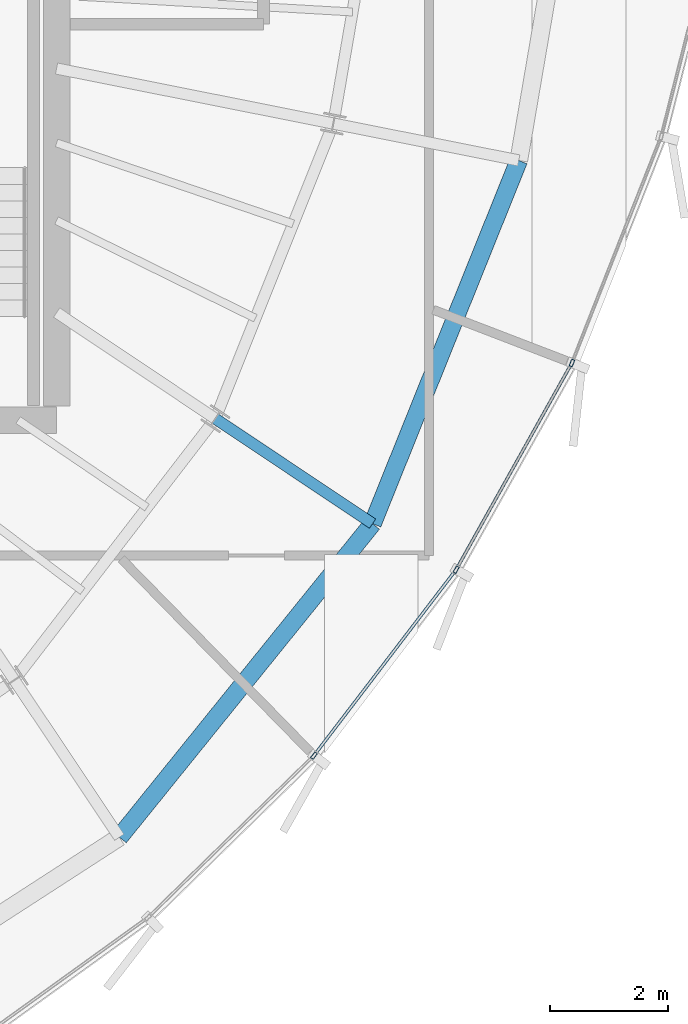
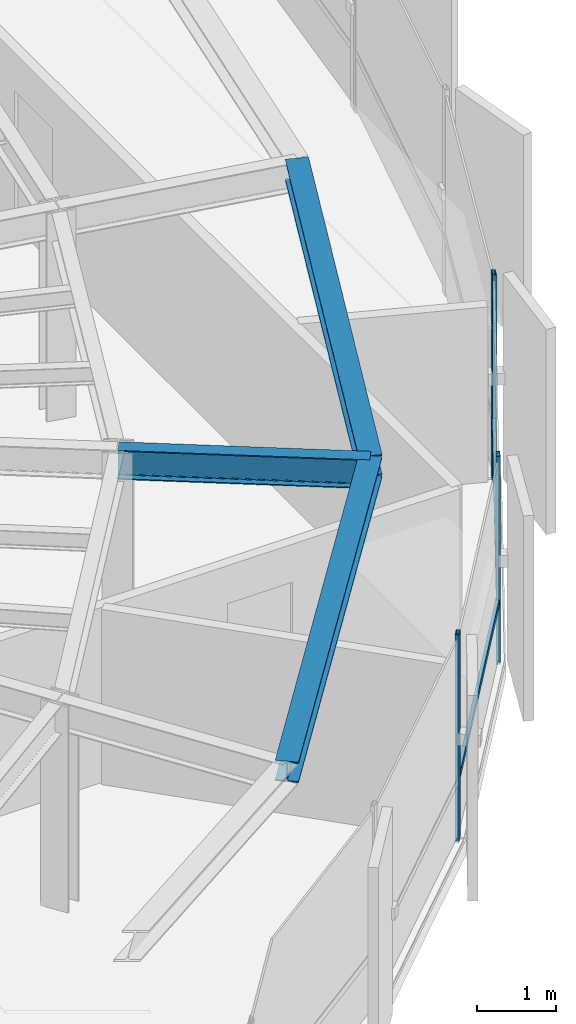
# One storey, part 13 of 34: 5 members, 3 beams, 1 element without a shape of its own.
"""IFC4 building model written with IfcOpenShell, lengths in metres."""

from ifc_helpers import new_model, si_unit, direction, frame, origin, origin_2d, place, context, subcontext, project, spatial, hollow_rectangle, i_section, extrude, source, transform, mapped, material, layer, layer_set, material_profile, profile_set, type_object, element, aggregate, save


model = new_model("IFC4")

# Units and contexts
model_context = context("Model", 3, precision=1e-05, world=origin(), true_north=direction((0.0, 1.0)))
body_context = subcontext(model_context, "Body", "Model", "MODEL_VIEW")
ifc_project = project(units=[si_unit("LENGTHUNIT", "METRE"), si_unit("AREAUNIT", "SQUARE_METRE"), si_unit("VOLUMEUNIT", "CUBIC_METRE"), si_unit("PLANEANGLEUNIT", "RADIAN"), si_unit("MASSUNIT", "GRAM", prefix="KILO"), si_unit("THERMODYNAMICTEMPERATUREUNIT", "KELVIN")], contexts=[model_context])

# Site, building, storey
site_placement = place(None, origin())
site = spatial("IfcSite", under=ifc_project, at=site_placement, CompositionType="ELEMENT")
building_placement = place(site_placement, origin())
building = spatial("IfcBuilding", under=site, at=building_placement, Name="Kethvar Cultural Tower", CompositionType="ELEMENT")
storey_placement = place(building_placement, frame((0.0, 0.0, 262.89990234375)))
storey = spatial("IfcBuildingStorey", under=building, at=storey_placement, Name="L69", CompositionType="ELEMENT", Elevation=262.89990234375)

# Beams
ifc_material_1 = material(Name="Steel S355J2", Category="steel")
ifc_material_profile_1 = material_profile(ifc_material_1, i_section(OverallWidth=0.18994140625, OverallDepth=0.449951171875, WebThickness=0.009521484375, FlangeThickness=0.0146484375, FilletRadius=0.02099609375, at=origin_2d()), Name="Steel S355J2 — IPE450")
ifc_profile_set_1 = profile_set([ifc_material_profile_1], Name="Steel S355J2 — IPE450")
beam_type_1 = type_object("IfcBeamType", Name="BM-IPE450", PredefinedType="BEAM", material=ifc_profile_set_1)
shared_shape_1 = source(origin(), body_context, "Body", "SweptSolid", [
    extrude(i_section(OverallWidth=0.18994140625, OverallDepth=0.449951171875, WebThickness=0.009521484375, FlangeThickness=0.0146484375, FilletRadius=0.02099609375, at=origin_2d()), origin(), (0.0, 0.0, 1.0), 3.199951171875),
])
beam_1_placement = place(storey_placement, frame((58.287109375, 20.12451171875, 2.983154296875), z_axis=(0.831462943996, -0.555580212716, 0.0), x_axis=(0.555580212716, 0.831462943996, 0.0)))
element("IfcBeam", 1, at=beam_1_placement, inside=storey, type_object=beam_type_1, Name="L69 Perimeter Cantilever Beam RC-15", PredefinedType="BEAM", context=body_context, shape_type="MappedRepresentation", body=[
    mapped(shared_shape_1, transform((0.0, 0.0, 0.0), scale=1.0)),
])
ifc_material_profile_2 = material_profile(ifc_material_1, i_section(OverallWidth=0.300048828125, OverallDepth=0.320068359375, WebThickness=0.011474609375, FlangeThickness=0.0205078125, FilletRadius=0.027099609375, at=origin_2d()), Name="Steel S355J2 — HEB320")
ifc_profile_set_2 = profile_set([ifc_material_profile_2], Name="Steel S355J2 — HEB320")
beam_type_2 = type_object("IfcBeamType", Name="BM-SP320", PredefinedType="SPANDREL", material=ifc_profile_set_2)
shared_shape_2 = source(origin(), body_context, "Body", "SweptSolid", [
    extrude(i_section(OverallWidth=0.300048828125, OverallDepth=0.320068359375, WebThickness=0.011474609375, FlangeThickness=0.0205078125, FilletRadius=0.027099609375, at=origin_2d()), origin(), (0.0, 0.0, 1.0), 6.8212890625),
])
beam_2_placement = place(storey_placement, frame((56.66259765625, 13.039306640625, 3.048095703125), z_axis=(0.628197971595, 0.778053538315, 0.0), x_axis=(-0.778053538315, 0.628197971595, 0.0)))
element("IfcBeam", 2, at=beam_2_placement, inside=storey, type_object=beam_type_2, Name="L69 Perimeter Spandrel Beam SP-14", PredefinedType="SPANDREL", context=body_context, shape_type="MappedRepresentation", body=[
    mapped(shared_shape_2, transform((0.0, 0.0, 0.0), scale=1.0)),
])
shared_shape_3 = source(origin(), body_context, "Body", "SweptSolid", [
    extrude(i_section(OverallWidth=0.300048828125, OverallDepth=0.320068359375, WebThickness=0.011474609375, FlangeThickness=0.0205078125, FilletRadius=0.027099609375, at=origin_2d()), origin(), (0.0, 0.0, 1.0), 6.626220703125),
])
beam_3_placement = place(storey_placement, frame((60.94775390625, 18.3466796875, 3.048095703125), z_axis=(0.373416224197, 0.927663906545, 0.0), x_axis=(-0.927663906545, 0.373416224197, 0.0)))
element("IfcBeam", 3, at=beam_3_placement, inside=storey, type_object=beam_type_2, Name="L69 Perimeter Spandrel Beam SP-15", PredefinedType="SPANDREL", context=body_context, shape_type="MappedRepresentation", body=[
    mapped(shared_shape_3, transform((0.0, 0.0, 0.0), scale=1.0)),
])

# Curtain wall, members
ifc_material_2 = material(Name="Aluminium 6063-T6", Category="aluminium")
ifc_layer = layer(ifc_material_2, 0.179931640625, Name="Aluminium 6063-T6", Category="aluminium")
ifc_layer_set = layer_set([ifc_layer], Name="Aluminium 6063-T6 (180 mm)")
curtain_wall_type = type_object("IfcCurtainWallType", Name="CW-SYS-05-Z56", PredefinedType="NOTDEFINED", material=ifc_layer_set)
curtain_wall_placement = place(storey_placement, origin())
curtain_wall = element("IfcCurtainWall", 4, at=curtain_wall_placement, inside=storey, type_object=curtain_wall_type, Name="L69 Curtain Wall Run 05", PredefinedType="NOTDEFINED")
ifc_material_profile_3 = material_profile(ifc_material_2, hollow_rectangle(XDim=0.054931640625, YDim=0.1201171875, WallThickness=0.00390625, at=origin_2d()), Name="Aluminium 6063-T6 — RHS120x55x4")
ifc_profile_set_3 = profile_set([ifc_material_profile_3], Name="Aluminium 6063-T6 — RHS120x55x4")
member_type_1 = type_object("IfcMemberType", Name="CW-SYS-05-Z56-MUL", PredefinedType="MULLION", material=ifc_profile_set_3)
shared_shape_4 = source(origin(), body_context, "Body", "SweptSolid", [
    extrude(hollow_rectangle(XDim=0.054931640625, YDim=0.1201171875, WallThickness=0.00390625, at=origin_2d()), origin(), (0.0, 0.0, 1.0), 3.210205078125),
])
member_1_placement = place(storey_placement, frame((59.955322265625, 14.421630859375, 0.0), z_axis=(0.0, 0.0, 1.0), x_axis=(-0.794382817322, 0.607417434343, 0.0)))
member_1 = element("IfcMember", 5, at=member_1_placement, type_object=member_type_1, Name="CW-L69-R05 Mullion 3", PredefinedType="MULLION", context=body_context, shape_type="MappedRepresentation", body=[
    mapped(shared_shape_4, transform((0.0, 0.0, 0.0), scale=1.0)),
])
member_2_placement = place(storey_placement, frame((62.36279296875, 17.568603515625, 0.0), z_axis=(0.0, 0.0, 1.0), x_axis=(-0.872547170585, 0.48852987125, 0.0)))
member_2 = element("IfcMember", 6, at=member_2_placement, type_object=member_type_1, Name="CW-L69-R05 Mullion 4", PredefinedType="MULLION", context=body_context, shape_type="MappedRepresentation", body=[
    mapped(shared_shape_4, transform((0.0, 0.0, 0.0), scale=1.0)),
])
member_3_placement = place(storey_placement, frame((64.32177734375, 21.065673828125, 0.0), z_axis=(0.0, 0.0, 1.0), x_axis=(-0.930359986626, 0.366647371852, 0.0)))
member_3 = element("IfcMember", 7, at=member_3_placement, type_object=member_type_1, Name="CW-L69-R05 Mullion 5", PredefinedType="MULLION", context=body_context, shape_type="MappedRepresentation", body=[
    mapped(shared_shape_4, transform((0.0, 0.0, 0.0), scale=1.0)),
])
ifc_material_profile_4 = material_profile(ifc_material_2, hollow_rectangle(XDim=0.050048828125, YDim=0.10009765625, WallThickness=0.00390625, at=origin_2d()), Name="Aluminium 6063-T6 — RHS100x50x4")
ifc_profile_set_4 = profile_set([ifc_material_profile_4], Name="Aluminium 6063-T6 — RHS100x50x4")
member_type_2 = type_object("IfcMemberType", Name="CW-SYS-05-Z56-TRN", PredefinedType="USERDEFINED", material=ifc_profile_set_4)
shared_shape_5 = source(origin(), body_context, "Body", "SweptSolid", [
    extrude(hollow_rectangle(XDim=0.050048828125, YDim=0.10009765625, WallThickness=0.00390625, at=origin_2d()), origin(), (0.0, 0.0, 1.0), 3.9423828125),
])
member_4_placement = place(storey_placement, frame((62.382080078125, 17.603271484375, 0.9501953125), z_axis=(0.488537368021, 0.872542973181, 0.0), x_axis=(-0.872542973181, 0.488537368021, 0.0)))
member_4 = element("IfcMember", 8, at=member_4_placement, type_object=member_type_2, Name="CW-L69-R05 Transom 4", ObjectType="TRANSOM", PredefinedType="USERDEFINED", context=body_context, shape_type="MappedRepresentation", body=[
    mapped(shared_shape_5, transform((0.0, 0.0, 0.0), scale=1.0)),
])
shared_shape_6 = source(origin(), body_context, "Body", "SweptSolid", [
    extrude(hollow_rectangle(XDim=0.050048828125, YDim=0.10009765625, WallThickness=0.00390625, at=origin_2d()), origin(), (0.0, 0.0, 1.0), 3.8974609375),
])
member_5_placement = place(storey_placement, frame((59.979248046875, 14.453125, 0.9501953125), z_axis=(0.60744080695, 0.79436494513, 0.0), x_axis=(-0.79436494513, 0.60744080695, 0.0)))
member_5 = element("IfcMember", 9, at=member_5_placement, type_object=member_type_2, Name="CW-L69-R05 Transom 3", ObjectType="TRANSOM", PredefinedType="USERDEFINED", context=body_context, shape_type="MappedRepresentation", body=[
    mapped(shared_shape_6, transform((0.0, 0.0, 0.0), scale=1.0)),
])
aggregate(curtain_wall, [member_1, member_2, member_3, member_5, member_4])

save(model, "model.ifc")
